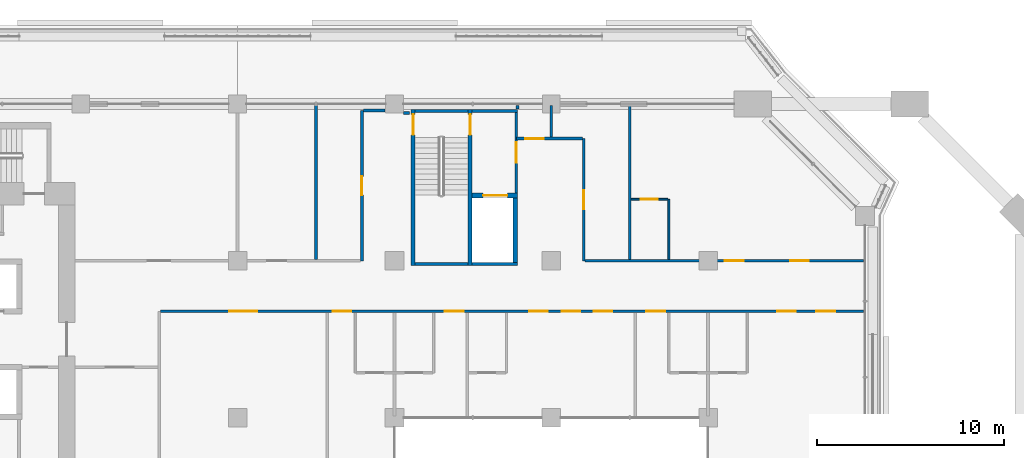
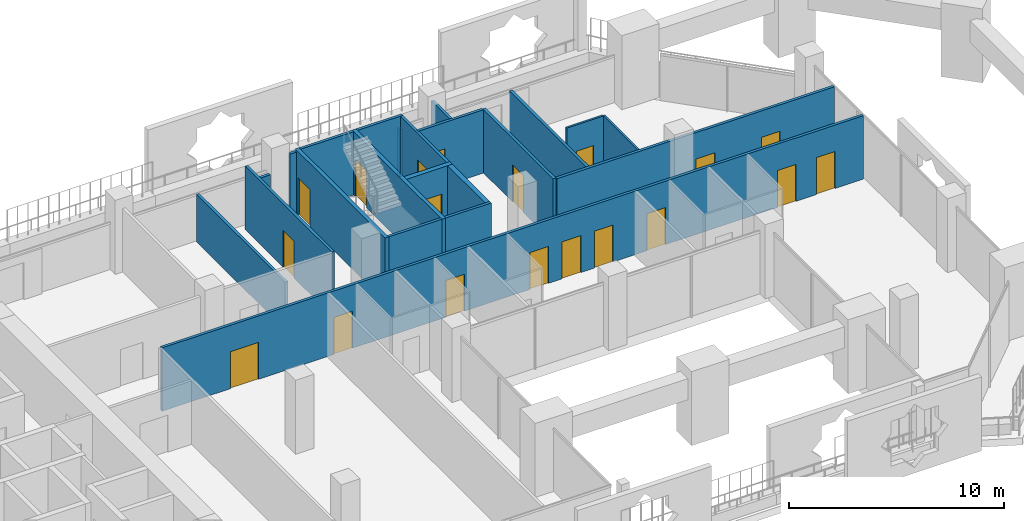
# One storey, part 14 of 23: 22 walls, 19 doors, 19 openings.
"""IFC4 building model written with IfcOpenShell, lengths in metres."""

from ifc_helpers import new_model, si_unit, direction, frame, frame_2d, origin, place, context, subcontext, project, spatial, rectangle, extrude, material, layer, layer_set, type_object, element, fill, save


model = new_model("IFC4")

# Units and contexts
model_context = context("Model", 3, precision=1e-05, world=origin(), true_north=direction((0.0, 1.0)))
body_context = subcontext(model_context, "Body", "Model", "MODEL_VIEW")
ifc_project = project(units=[si_unit("LENGTHUNIT", "METRE"), si_unit("AREAUNIT", "SQUARE_METRE"), si_unit("VOLUMEUNIT", "CUBIC_METRE"), si_unit("PLANEANGLEUNIT", "RADIAN"), si_unit("MASSUNIT", "GRAM", prefix="KILO")], contexts=[model_context])

# Site, building, storey
site_placement = place(None, origin())
site = spatial("IfcSite", under=ifc_project, at=site_placement, CompositionType="ELEMENT")
building_placement = place(site_placement, origin())
building = spatial("IfcBuilding", under=site, at=building_placement, Name="Kawkab Arch Medical Tower", CompositionType="ELEMENT")
storey_placement = place(building_placement, frame((0.0, 0.0, 166.800048828125)))
storey = spatial("IfcBuildingStorey", under=building, at=storey_placement, Name="L38", CompositionType="ELEMENT", Elevation=166.800048828125)

# Wall, opening, door
ifc_material_1 = material(Name="Gypsum board on steel studs", Category="steel")
ifc_layer_1 = layer(ifc_material_1, 0.14990234375)
ifc_layer_set_1 = layer_set([ifc_layer_1], Name="Gypsum board on steel studs")
wall_type_1 = type_object("IfcWallType", Name="Core room partition 150", PredefinedType="PARTITIONING", material=ifc_layer_set_1)
wall_1_placement = place(storey_placement, frame((48.52490234375, -4.77490234375, 0.0), z_axis=(0.0, 0.0, 1.0), x_axis=(0.0, 1.0, 0.0)))
wall_1 = element("IfcWall", 1, at=wall_1_placement, inside=storey, type_object=wall_type_1, Name="L38 core room partition", PredefinedType="PARTITIONING", context=body_context, shape_type="SweptSolid", body=[
    extrude(rectangle(XDim=4.324951171875, YDim=0.14990234375, at=frame_2d((2.16259765625, 0.0))), origin(), (0.0, 0.0, 1.0), 3.599853515625),
])
opening_1_placement = place(wall_1_placement, frame((1.625, 0.0, 0.0)))
opening_1 = element("IfcOpeningElement", 2, at=opening_1_placement, cuts=wall_1, Name="Opening FD", PredefinedType="OPENING", context=body_context, shape_type="SweptSolid", body=[
    extrude(rectangle(XDim=1.10009765625, YDim=2.10009765625, at=frame_2d((0.550048828125, 1.050048828125))), frame((0.0, 0.0849609375, 0.0), z_axis=(0.0, -1.0, 0.0), x_axis=(1.0, 0.0, 0.0)), (0.0, 0.0, 1.0), 0.169921875),
])
ifc_material_2 = material(Name="Hollow metal fire door leaf")
door_type_1 = type_object("IfcDoorType", Name="Firefighting lobby door 1100", OperationType="SINGLE_SWING_LEFT", PredefinedType="DOOR", material=ifc_material_2)
door_1_placement = place(opening_1_placement, origin())
door_1 = element("IfcDoor", 3, at=door_1_placement, inside=storey, type_object=door_type_1, Name="L38 Service lift lobby door SV1", OperationType="SINGLE_SWING_LEFT", OverallHeight=2.10009765625, OverallWidth=1.10009765625, PredefinedType="DOOR", context=body_context, shape_type="SweptSolid", body=[
    extrude(rectangle(XDim=1.10009765625, YDim=2.10009765625, at=frame_2d((0.550048828125, 1.050048828125))), frame((0.0, 0.02490234375, 0.0), z_axis=(0.0, -1.0, 0.0), x_axis=(1.0, 0.0, 0.0)), (0.0, 0.0, 1.0), 0.050048828125),
])
fill(opening_1, door_1)

ifc_material_3 = material(Name="Concrete C60/75", Category="concrete")
ifc_layer_2 = layer(ifc_material_3, 0.25)
ifc_layer_set_2 = layer_set([ifc_layer_2], Name="Concrete C60/75")
wall_type_2 = type_object("IfcWallType", Name="Core shear wall 250 C60/75", PredefinedType="SHEAR", material=ifc_layer_set_2)
wall_2_placement = place(storey_placement, frame((46.14990234375, -4.89990234375, 0.0), z_axis=(0.0, 0.0, 1.0), x_axis=(1.0, 0.0, 0.0)))
wall_2 = element("IfcWall", 4, at=wall_2_placement, inside=storey, type_object=wall_type_2, Name="L38 core shear wall", PredefinedType="SHEAR", context=body_context, shape_type="SweptSolid", body=[
    extrude(rectangle(XDim=2.4501953125, YDim=0.25, at=frame_2d((1.22509765625, 0.0))), origin(), (0.0, 0.0, 1.0), 3.599853515625),
])
opening_2_placement = place(wall_2_placement, frame((0.60009765625, 0.0, 0.0)))
opening_2 = element("IfcOpeningElement", 5, at=opening_2_placement, cuts=wall_2, Name="Opening LD2", PredefinedType="OPENING", context=body_context, shape_type="SweptSolid", body=[
    extrude(rectangle(XDim=1.300048828125, YDim=2.10009765625, at=frame_2d((0.64990234375, 1.050048828125))), frame((0.0, 0.135009765625, 0.0), z_axis=(0.0, -1.0, 0.0), x_axis=(1.0, 0.0, 0.0)), (0.0, 0.0, 1.0), 0.27001953125),
])
ifc_material_4 = material(Name="Stainless steel lift door leaf", Category="steel")
door_type_2 = type_object("IfcDoorType", Name="Lift landing door 1300", OperationType="DOUBLE_DOOR_SLIDING", PredefinedType="DOOR", material=ifc_material_4)
door_2_placement = place(opening_2_placement, origin())
door_2 = element("IfcDoor", 6, at=door_2_placement, inside=storey, type_object=door_type_2, Name="L38 Lift landing door SV1", OperationType="DOUBLE_DOOR_SLIDING", OverallHeight=2.10009765625, OverallWidth=1.300048828125, PredefinedType="DOOR", context=body_context, shape_type="SweptSolid", body=[
    extrude(rectangle(XDim=1.300048828125, YDim=2.10009765625, at=frame_2d((0.64990234375, 1.050048828125))), frame((0.0, 0.02490234375, 0.0), z_axis=(0.0, -1.0, 0.0), x_axis=(1.0, 0.0, 0.0)), (0.0, 0.0, 1.0), 0.050048828125),
])
fill(opening_2, door_2)

# Wall
wall_3_placement = place(storey_placement, frame((48.47509765625, -8.5, 0.0), z_axis=(0.0, 0.0, 1.0), x_axis=(0.0, 1.0, 0.0)))
element("IfcWall", 7, at=wall_3_placement, inside=storey, type_object=wall_type_2, Name="L38 core shear wall", PredefinedType="SHEAR", context=body_context, shape_type="SweptSolid", body=[
    extrude(rectangle(XDim=3.47509765625, YDim=0.25, at=frame_2d((1.737548828125, 0.0))), origin(), (0.0, 0.0, 1.0), 3.599853515625),
])

# Wall, opening, door
ifc_material_5 = material(Name="Gypsum board partition on steel studs", Category="steel")
ifc_layer_3 = layer(ifc_material_5, 0.10009765625)
ifc_layer_set_3 = layer_set([ifc_layer_3], Name="Gypsum board partition on steel studs")
wall_type_3 = type_object("IfcWallType", Name="Partition 100", PredefinedType="PARTITIONING", material=ifc_layer_set_3)
wall_4_placement = place(storey_placement, frame((54.675048828125, -5.10009765625, 0.0), z_axis=(0.0, 0.0, 1.0), x_axis=(1.0, 0.0, 0.0)))
wall_4 = element("IfcWall", 8, at=wall_4_placement, inside=storey, type_object=wall_type_3, Name="Partition 100 w007", PredefinedType="PARTITIONING", context=body_context, shape_type="SweptSolid", body=[
    extrude(rectangle(XDim=1.972900390625, YDim=0.10009765625, at=frame_2d((0.986328125, 0.0))), origin(), (0.0, 0.0, 1.0), 3.599853515625),
])
opening_3_placement = place(wall_4_placement, frame((0.52392578125, 0.0, 0.0)))
opening_3 = element("IfcOpeningElement", 9, at=opening_3_placement, cuts=wall_4, Name="Opening B38-005", PredefinedType="OPENING", context=body_context, shape_type="SweptSolid", body=[
    extrude(rectangle(XDim=0.89990234375, YDim=2.10009765625, at=frame_2d((0.449951171875, 1.050048828125))), frame((0.0, 0.06005859375, 0.0), z_axis=(0.0, -1.0, 0.0), x_axis=(1.0, 0.0, 0.0)), (0.0, 0.0, 1.0), 0.1201171875),
])
ifc_material_6 = material(Name="Timber door leaf", Category="wood")
door_type_3 = type_object("IfcDoorType", Name="Single door 900x2100", OperationType="NOTDEFINED", PredefinedType="DOOR", material=ifc_material_6)
door_3_placement = place(opening_3_placement, origin())
door_3 = element("IfcDoor", 10, at=door_3_placement, inside=storey, type_object=door_type_3, Name="Door B38-005", OperationType="SINGLE_SWING_RIGHT", OverallHeight=2.10009765625, OverallWidth=0.89990234375, PredefinedType="DOOR", context=body_context, shape_type="SweptSolid", body=[
    extrude(rectangle(XDim=0.89990234375, YDim=2.10009765625, at=frame_2d((0.449951171875, 1.050048828125))), frame((0.0, 0.02490234375, 0.0), z_axis=(0.0, -1.0, 0.0), x_axis=(1.0, 0.0, 0.0)), (0.0, 0.0, 1.0), 0.050048828125),
])
fill(opening_3, door_3)

# Wall
wall_5_placement = place(storey_placement, frame((56.699951171875, -8.324951171875, 0.0), z_axis=(0.0, 0.0, 1.0), x_axis=(0.0, 1.0, 0.0)))
element("IfcWall", 11, at=wall_5_placement, inside=storey, type_object=wall_type_3, Name="Partition 100 w014", PredefinedType="PARTITIONING", context=body_context, shape_type="SweptSolid", body=[
    extrude(rectangle(XDim=3.223876953125, YDim=0.10009765625, at=frame_2d((1.61181640625, 0.0))), origin(), (0.0, 0.0, 1.0), 3.599853515625),
])

# Wall, openings, doors
ifc_material_7 = material(Name="Gypsum board partition on steel studs, mineral wool", Category="steel")
ifc_layer_4 = layer(ifc_material_7, 0.14990234375)
ifc_layer_set_4 = layer_set([ifc_layer_4], Name="Gypsum board partition on steel studs, mineral wool")
wall_type_4 = type_object("IfcWallType", Name="Partition 150", PredefinedType="PARTITIONING", material=ifc_layer_set_4)
wall_6_placement = place(storey_placement, frame((29.47509765625, -11.10009765625, 0.0), z_axis=(0.0, 0.0, 1.0), x_axis=(1.0, 0.0, 0.0)))
wall_6 = element("IfcWall", 12, at=wall_6_placement, inside=storey, type_object=wall_type_4, Name="Partition 150 w028", PredefinedType="PARTITIONING", context=body_context, shape_type="SweptSolid", body=[
    extrude(rectangle(XDim=37.64501953125, YDim=0.14990234375, at=frame_2d((18.822509765625, 0.0))), origin(), (0.0, 0.0, 1.0), 3.599853515625),
])
opening_4_placement = place(wall_6_placement, frame((3.675048828125, 0.0, 0.0)))
opening_4 = element("IfcOpeningElement", 13, at=opening_4_placement, cuts=wall_6, Name="Opening B38-002", PredefinedType="OPENING", context=body_context, shape_type="SweptSolid", body=[
    extrude(rectangle(XDim=1.5, YDim=2.10009765625, at=frame_2d((0.75, 1.050048828125))), frame((0.0, 0.0849609375, 0.0), z_axis=(0.0, -1.0, 0.0), x_axis=(1.0, 0.0, 0.0)), (0.0, 0.0, 1.0), 0.169921875),
])
opening_5_placement = place(wall_6_placement, frame((9.22509765625, 0.0, 0.0)))
opening_5 = element("IfcOpeningElement", 14, at=opening_5_placement, cuts=wall_6, Name="Opening B38-022", PredefinedType="OPENING", context=body_context, shape_type="SweptSolid", body=[
    extrude(rectangle(XDim=1.0, YDim=2.10009765625, at=frame_2d((0.5, 1.050048828125))), frame((0.0, 0.0849609375, 0.0), z_axis=(0.0, -1.0, 0.0), x_axis=(1.0, 0.0, 0.0)), (0.0, 0.0, 1.0), 0.169921875),
])
opening_6_placement = place(wall_6_placement, frame((15.22509765625, 0.0, 0.0)))
opening_6 = element("IfcOpeningElement", 15, at=opening_6_placement, cuts=wall_6, Name="Opening B38-023", PredefinedType="OPENING", context=body_context, shape_type="SweptSolid", body=[
    extrude(rectangle(XDim=1.0, YDim=2.10009765625, at=frame_2d((0.5, 1.050048828125))), frame((0.0, 0.0849609375, 0.0), z_axis=(0.0, -1.0, 0.0), x_axis=(1.0, 0.0, 0.0)), (0.0, 0.0, 1.0), 0.169921875),
])
opening_7_placement = place(wall_6_placement, frame((23.199951171875, 0.0, 0.0)))
opening_7 = element("IfcOpeningElement", 16, at=opening_7_placement, cuts=wall_6, Name="Opening B38-024", PredefinedType="OPENING", context=body_context, shape_type="SweptSolid", body=[
    extrude(rectangle(XDim=1.0, YDim=2.10009765625, at=frame_2d((0.5, 1.050048828125))), frame((0.0, 0.0849609375, 0.0), z_axis=(0.0, -1.0, 0.0), x_axis=(1.0, 0.0, 0.0)), (0.0, 0.0, 1.0), 0.169921875),
])
opening_8_placement = place(wall_6_placement, frame((21.47509765625, 0.0, 0.0)))
opening_8 = element("IfcOpeningElement", 17, at=opening_8_placement, cuts=wall_6, Name="Opening B38-025", PredefinedType="OPENING", context=body_context, shape_type="SweptSolid", body=[
    extrude(rectangle(XDim=1.0, YDim=2.10009765625, at=frame_2d((0.5, 1.050048828125))), frame((0.0, 0.0849609375, 0.0), z_axis=(0.0, -1.0, 0.0), x_axis=(1.0, 0.0, 0.0)), (0.0, 0.0, 1.0), 0.169921875),
])
opening_9_placement = place(wall_6_placement, frame((19.75, 0.0, 0.0)))
opening_9 = element("IfcOpeningElement", 18, at=opening_9_placement, cuts=wall_6, Name="Opening B38-026", PredefinedType="OPENING", context=body_context, shape_type="SweptSolid", body=[
    extrude(rectangle(XDim=1.0, YDim=2.10009765625, at=frame_2d((0.5, 1.050048828125))), frame((0.0, 0.0849609375, 0.0), z_axis=(0.0, -1.0, 0.0), x_axis=(1.0, 0.0, 0.0)), (0.0, 0.0, 1.0), 0.169921875),
])
opening_10_placement = place(wall_6_placement, frame((26.02490234375, 0.0, 0.0)))
opening_10 = element("IfcOpeningElement", 19, at=opening_10_placement, cuts=wall_6, Name="Opening B38-027", PredefinedType="OPENING", context=body_context, shape_type="SweptSolid", body=[
    extrude(rectangle(XDim=1.0, YDim=2.10009765625, at=frame_2d((0.5, 1.050048828125))), frame((0.0, 0.0849609375, 0.0), z_axis=(0.0, -1.0, 0.0), x_axis=(1.0, 0.0, 0.0)), (0.0, 0.0, 1.0), 0.169921875),
])
opening_11_placement = place(wall_6_placement, frame((35.125, 0.0, 0.0)))
opening_11 = element("IfcOpeningElement", 20, at=opening_11_placement, cuts=wall_6, Name="Opening B38-028", PredefinedType="OPENING", context=body_context, shape_type="SweptSolid", body=[
    extrude(rectangle(XDim=1.0, YDim=2.10009765625, at=frame_2d((0.5, 1.050048828125))), frame((0.0, 0.0849609375, 0.0), z_axis=(0.0, -1.0, 0.0), x_axis=(1.0, 0.0, 0.0)), (0.0, 0.0, 1.0), 0.169921875),
])
opening_12_placement = place(wall_6_placement, frame((33.02490234375, 0.0, 0.0)))
opening_12 = element("IfcOpeningElement", 21, at=opening_12_placement, cuts=wall_6, Name="Opening B38-029", PredefinedType="OPENING", context=body_context, shape_type="SweptSolid", body=[
    extrude(rectangle(XDim=1.0, YDim=2.10009765625, at=frame_2d((0.5, 1.050048828125))), frame((0.0, 0.0849609375, 0.0), z_axis=(0.0, -1.0, 0.0), x_axis=(1.0, 0.0, 0.0)), (0.0, 0.0, 1.0), 0.169921875),
])
ifc_material_8 = material(Name="Hollow metal door leaf")
door_type_4 = type_object("IfcDoorType", Name="Double door 1500x2100 FD30S", OperationType="NOTDEFINED", PredefinedType="DOOR", material=ifc_material_8)
door_4_placement = place(opening_4_placement, origin())
door_4 = element("IfcDoor", 22, at=door_4_placement, inside=storey, type_object=door_type_4, Name="Door B38-002", OperationType="DOUBLE_DOOR_SINGLE_SWING", OverallHeight=2.10009765625, OverallWidth=1.5, PredefinedType="DOOR", context=body_context, shape_type="SweptSolid", body=[
    extrude(rectangle(XDim=1.5, YDim=2.10009765625, at=frame_2d((0.75, 1.050048828125))), frame((0.0, 0.02490234375, 0.0), z_axis=(0.0, -1.0, 0.0), x_axis=(1.0, 0.0, 0.0)), (0.0, 0.0, 1.0), 0.050048828125),
])
fill(opening_4, door_4)
ifc_material_9 = material(Name="Hollow metal door leaf")
door_type_5 = type_object("IfcDoorType", Name="Single door 1000x2100 FD30S", OperationType="NOTDEFINED", PredefinedType="DOOR", material=ifc_material_9)
door_5_placement = place(opening_5_placement, origin())
door_5 = element("IfcDoor", 23, at=door_5_placement, inside=storey, type_object=door_type_5, Name="Door B38-022", OperationType="SINGLE_SWING_RIGHT", OverallHeight=2.10009765625, OverallWidth=1.0, PredefinedType="DOOR", context=body_context, shape_type="SweptSolid", body=[
    extrude(rectangle(XDim=1.0, YDim=2.10009765625, at=frame_2d((0.5, 1.050048828125))), frame((0.0, 0.02490234375, 0.0), z_axis=(0.0, -1.0, 0.0), x_axis=(1.0, 0.0, 0.0)), (0.0, 0.0, 1.0), 0.050048828125),
])
fill(opening_5, door_5)
door_6_placement = place(opening_6_placement, origin())
door_6 = element("IfcDoor", 24, at=door_6_placement, inside=storey, type_object=door_type_5, Name="Door B38-023", OperationType="SINGLE_SWING_RIGHT", OverallHeight=2.10009765625, OverallWidth=1.0, PredefinedType="DOOR", context=body_context, shape_type="SweptSolid", body=[
    extrude(rectangle(XDim=1.0, YDim=2.10009765625, at=frame_2d((0.5, 1.050048828125))), frame((0.0, 0.02490234375, 0.0), z_axis=(0.0, -1.0, 0.0), x_axis=(1.0, 0.0, 0.0)), (0.0, 0.0, 1.0), 0.050048828125),
])
fill(opening_6, door_6)
door_7_placement = place(opening_7_placement, origin())
door_7 = element("IfcDoor", 25, at=door_7_placement, inside=storey, type_object=door_type_5, Name="Door B38-024", OperationType="SINGLE_SWING_LEFT", OverallHeight=2.10009765625, OverallWidth=1.0, PredefinedType="DOOR", context=body_context, shape_type="SweptSolid", body=[
    extrude(rectangle(XDim=1.0, YDim=2.10009765625, at=frame_2d((0.5, 1.050048828125))), frame((0.0, 0.02490234375, 0.0), z_axis=(0.0, -1.0, 0.0), x_axis=(1.0, 0.0, 0.0)), (0.0, 0.0, 1.0), 0.050048828125),
])
fill(opening_7, door_7)
door_8_placement = place(opening_8_placement, origin())
door_8 = element("IfcDoor", 26, at=door_8_placement, inside=storey, type_object=door_type_5, Name="Door B38-025", OperationType="SINGLE_SWING_LEFT", OverallHeight=2.10009765625, OverallWidth=1.0, PredefinedType="DOOR", context=body_context, shape_type="SweptSolid", body=[
    extrude(rectangle(XDim=1.0, YDim=2.10009765625, at=frame_2d((0.5, 1.050048828125))), frame((0.0, 0.02490234375, 0.0), z_axis=(0.0, -1.0, 0.0), x_axis=(1.0, 0.0, 0.0)), (0.0, 0.0, 1.0), 0.050048828125),
])
fill(opening_8, door_8)
door_9_placement = place(opening_9_placement, origin())
door_9 = element("IfcDoor", 27, at=door_9_placement, inside=storey, type_object=door_type_5, Name="Door B38-026", OperationType="SINGLE_SWING_LEFT", OverallHeight=2.10009765625, OverallWidth=1.0, PredefinedType="DOOR", context=body_context, shape_type="SweptSolid", body=[
    extrude(rectangle(XDim=1.0, YDim=2.10009765625, at=frame_2d((0.5, 1.050048828125))), frame((0.0, 0.02490234375, 0.0), z_axis=(0.0, -1.0, 0.0), x_axis=(1.0, 0.0, 0.0)), (0.0, 0.0, 1.0), 0.050048828125),
])
fill(opening_9, door_9)
door_10_placement = place(opening_10_placement, origin())
door_10 = element("IfcDoor", 28, at=door_10_placement, inside=storey, type_object=door_type_5, Name="Door B38-027", OperationType="SINGLE_SWING_LEFT", OverallHeight=2.10009765625, OverallWidth=1.0, PredefinedType="DOOR", context=body_context, shape_type="SweptSolid", body=[
    extrude(rectangle(XDim=1.0, YDim=2.10009765625, at=frame_2d((0.5, 1.050048828125))), frame((0.0, 0.02490234375, 0.0), z_axis=(0.0, -1.0, 0.0), x_axis=(1.0, 0.0, 0.0)), (0.0, 0.0, 1.0), 0.050048828125),
])
fill(opening_10, door_10)
door_11_placement = place(opening_11_placement, origin())
door_11 = element("IfcDoor", 29, at=door_11_placement, inside=storey, type_object=door_type_5, Name="Door B38-028", OperationType="SINGLE_SWING_LEFT", OverallHeight=2.10009765625, OverallWidth=1.0, PredefinedType="DOOR", context=body_context, shape_type="SweptSolid", body=[
    extrude(rectangle(XDim=1.0, YDim=2.10009765625, at=frame_2d((0.5, 1.050048828125))), frame((0.0, 0.02490234375, 0.0), z_axis=(0.0, -1.0, 0.0), x_axis=(1.0, 0.0, 0.0)), (0.0, 0.0, 1.0), 0.050048828125),
])
fill(opening_11, door_11)
door_12_placement = place(opening_12_placement, origin())
door_12 = element("IfcDoor", 30, at=door_12_placement, inside=storey, type_object=door_type_5, Name="Door B38-029", OperationType="SINGLE_SWING_LEFT", OverallHeight=2.10009765625, OverallWidth=1.0, PredefinedType="DOOR", context=body_context, shape_type="SweptSolid", body=[
    extrude(rectangle(XDim=1.0, YDim=2.10009765625, at=frame_2d((0.5, 1.050048828125))), frame((0.0, 0.02490234375, 0.0), z_axis=(0.0, -1.0, 0.0), x_axis=(1.0, 0.0, 0.0)), (0.0, 0.0, 1.0), 0.050048828125),
])
fill(opening_12, door_12)

wall_7_placement = place(storey_placement, frame((52.218017578125, -8.39990234375, 0.0), z_axis=(0.0, 0.0, 1.0), x_axis=(1.0, 0.0, 0.0)))
wall_7 = element("IfcWall", 31, at=wall_7_placement, inside=storey, type_object=wall_type_4, Name="Partition 150 w031", PredefinedType="PARTITIONING", context=body_context, shape_type="SweptSolid", body=[
    extrude(rectangle(XDim=14.902099609375, YDim=0.14990234375, at=frame_2d((7.451171875, 0.0))), origin(), (0.0, 0.0, 1.0), 3.599853515625),
])
opening_13_placement = place(wall_7_placement, frame((7.48193359375, 0.0, 0.0)))
opening_13 = element("IfcOpeningElement", 32, at=opening_13_placement, cuts=wall_7, Name="Opening B38-020", PredefinedType="OPENING", context=body_context, shape_type="SweptSolid", body=[
    extrude(rectangle(XDim=1.0, YDim=2.10009765625, at=frame_2d((0.5, 1.050048828125))), frame((0.0, 0.0849609375, 0.0), z_axis=(0.0, -1.0, 0.0), x_axis=(1.0, 0.0, 0.0)), (0.0, 0.0, 1.0), 0.169921875),
])
opening_14_placement = place(wall_7_placement, frame((10.98193359375, 0.0, 0.0)))
opening_14 = element("IfcOpeningElement", 33, at=opening_14_placement, cuts=wall_7, Name="Opening B38-021", PredefinedType="OPENING", context=body_context, shape_type="SweptSolid", body=[
    extrude(rectangle(XDim=1.0, YDim=2.10009765625, at=frame_2d((0.5, 1.050048828125))), frame((0.0, 0.0849609375, 0.0), z_axis=(0.0, -1.0, 0.0), x_axis=(1.0, 0.0, 0.0)), (0.0, 0.0, 1.0), 0.169921875),
])
door_13_placement = place(opening_13_placement, origin())
door_13 = element("IfcDoor", 34, at=door_13_placement, inside=storey, type_object=door_type_5, Name="Door B38-020", OperationType="SINGLE_SWING_RIGHT", OverallHeight=2.10009765625, OverallWidth=1.0, PredefinedType="DOOR", context=body_context, shape_type="SweptSolid", body=[
    extrude(rectangle(XDim=1.0, YDim=2.10009765625, at=frame_2d((0.5, 1.050048828125))), frame((0.0, 0.02490234375, 0.0), z_axis=(0.0, -1.0, 0.0), x_axis=(1.0, 0.0, 0.0)), (0.0, 0.0, 1.0), 0.050048828125),
])
fill(opening_13, door_13)
door_14_placement = place(opening_14_placement, origin())
door_14 = element("IfcDoor", 35, at=door_14_placement, inside=storey, type_object=door_type_5, Name="Door B38-021", OperationType="SINGLE_SWING_RIGHT", OverallHeight=2.10009765625, OverallWidth=1.0, PredefinedType="DOOR", context=body_context, shape_type="SweptSolid", body=[
    extrude(rectangle(XDim=1.0, YDim=2.10009765625, at=frame_2d((0.5, 1.050048828125))), frame((0.0, 0.02490234375, 0.0), z_axis=(0.0, -1.0, 0.0), x_axis=(1.0, 0.0, 0.0)), (0.0, 0.0, 1.0), 0.050048828125),
])
fill(opening_14, door_14)

# Wall, opening, door
wall_8_placement = place(storey_placement, frame((48.550048828125, -1.85009765625, 0.0), z_axis=(0.0, 0.0, 1.0), x_axis=(1.0, 0.0, 0.0)))
wall_8 = element("IfcWall", 36, at=wall_8_placement, inside=storey, type_object=wall_type_4, Name="Partition 150 w032", PredefinedType="PARTITIONING", context=body_context, shape_type="SweptSolid", body=[
    extrude(rectangle(XDim=3.515869140625, YDim=0.14990234375, at=frame_2d((1.7578125, 0.0))), origin(), (0.0, 0.0, 1.0), 3.599853515625),
])
opening_15_placement = place(wall_8_placement, frame((0.449951171875, 0.0, 0.0)))
opening_15 = element("IfcOpeningElement", 37, at=opening_15_placement, cuts=wall_8, Name="Opening B38-018", PredefinedType="OPENING", context=body_context, shape_type="SweptSolid", body=[
    extrude(rectangle(XDim=1.0, YDim=2.10009765625, at=frame_2d((0.5, 1.050048828125))), frame((0.0, 0.0849609375, 0.0), z_axis=(0.0, -1.0, 0.0), x_axis=(1.0, 0.0, 0.0)), (0.0, 0.0, 1.0), 0.169921875),
])
door_15_placement = place(opening_15_placement, origin())
door_15 = element("IfcDoor", 38, at=door_15_placement, inside=storey, type_object=door_type_5, Name="Door B38-018", OperationType="SINGLE_SWING_LEFT", OverallHeight=2.10009765625, OverallWidth=1.0, PredefinedType="DOOR", context=body_context, shape_type="SweptSolid", body=[
    extrude(rectangle(XDim=1.0, YDim=2.10009765625, at=frame_2d((0.5, 1.050048828125))), frame((0.0, 0.02490234375, 0.0), z_axis=(0.0, -1.0, 0.0), x_axis=(1.0, 0.0, 0.0)), (0.0, 0.0, 1.0), 0.050048828125),
])
fill(opening_15, door_15)

# Walls
wall_9_placement = place(storey_placement, frame((42.47705078125, -0.47509765625, 0.0), z_axis=(0.0, 0.0, 1.0), x_axis=(1.0, 0.0, 0.0)))
element("IfcWall", 39, at=wall_9_placement, inside=storey, type_object=wall_type_4, Name="Partition 150 w033", PredefinedType="PARTITIONING", context=body_context, shape_type="SweptSolid", body=[
    extrude(rectangle(XDim=0.343017578125, YDim=0.14990234375, at=frame_2d((0.17138671875, 0.0))), origin(), (0.0, 0.0, 1.0), 3.599853515625),
])
wall_10_placement = place(storey_placement, frame((40.3330078125, -0.35009765625, 0.0), z_axis=(0.0, 0.0, 1.0), x_axis=(1.0, 0.0, 0.0)))
element("IfcWall", 40, at=wall_10_placement, inside=storey, type_object=wall_type_4, Name="Partition 150 w034", PredefinedType="PARTITIONING", context=body_context, shape_type="SweptSolid", body=[
    extrude(rectangle(XDim=1.155029296875, YDim=0.14990234375, at=frame_2d((0.57763671875, 0.0))), origin(), (0.0, 0.0, 1.0), 2.699951171875),
])
wall_11_placement = place(storey_placement, frame((37.800048828125, -8.324951171875, 0.0), z_axis=(0.0, 0.0, 1.0), x_axis=(0.0, 1.0, 0.0)))
element("IfcWall", 41, at=wall_11_placement, inside=storey, type_object=wall_type_4, Name="Partition 150 w043", PredefinedType="PARTITIONING", context=body_context, shape_type="SweptSolid", body=[
    extrude(rectangle(XDim=8.244873046875, YDim=0.14990234375, at=frame_2d((4.12255859375, 0.0))), origin(), (0.0, 0.0, 1.0), 2.699951171875),
])

# Wall, opening, door
wall_12_placement = place(storey_placement, frame((40.257080078125, -8.39990234375, 0.0), z_axis=(0.0, 0.0, 1.0), x_axis=(0.0, 1.0, 0.0)))
wall_12 = element("IfcWall", 42, at=wall_12_placement, inside=storey, type_object=wall_type_4, Name="Partition 150 w045", PredefinedType="PARTITIONING", context=body_context, shape_type="SweptSolid", body=[
    extrude(rectangle(XDim=8.0478515625, YDim=0.14990234375, at=frame_2d((4.02392578125, 0.0))), origin(), (0.0, 0.0, 1.0), 3.599853515625),
])
opening_16_placement = place(wall_12_placement, frame((3.52392578125, 0.0, 0.0)))
opening_16 = element("IfcOpeningElement", 43, at=opening_16_placement, cuts=wall_12, Name="Opening B38-017", PredefinedType="OPENING", context=body_context, shape_type="SweptSolid", body=[
    extrude(rectangle(XDim=1.0, YDim=2.10009765625, at=frame_2d((0.5, 1.050048828125))), frame((0.0, 0.0849609375, 0.0), z_axis=(0.0, -1.0, 0.0), x_axis=(1.0, 0.0, 0.0)), (0.0, 0.0, 1.0), 0.169921875),
])
door_16_placement = place(opening_16_placement, origin())
door_16 = element("IfcDoor", 44, at=door_16_placement, inside=storey, type_object=door_type_5, Name="Door B38-017", OperationType="SINGLE_SWING_LEFT", OverallHeight=2.10009765625, OverallWidth=1.0, PredefinedType="DOOR", context=body_context, shape_type="SweptSolid", body=[
    extrude(rectangle(XDim=1.0, YDim=2.10009765625, at=frame_2d((0.5, 1.050048828125))), frame((0.0, 0.02490234375, 0.0), z_axis=(0.0, -1.0, 0.0), x_axis=(1.0, 0.0, 0.0)), (0.0, 0.0, 1.0), 0.050048828125),
])
fill(opening_16, door_16)

# Walls
wall_13_placement = place(storey_placement, frame((48.60009765625, -0.27001953125, 0.0), z_axis=(0.0, 0.0, 1.0), x_axis=(0.0, 1.0, 0.0)))
element("IfcWall", 45, at=wall_13_placement, inside=storey, type_object=wall_type_4, Name="Partition 150 w048", PredefinedType="PARTITIONING", context=body_context, shape_type="SweptSolid", body=[
    extrude(rectangle(XDim=0.18994140625, YDim=0.14990234375, at=frame_2d((0.094970703125, 0.0))), origin(), (0.0, 0.0, 1.0), 2.699951171875),
])
wall_14_placement = place(storey_placement, frame((50.39990234375, -1.77490234375, 0.0), z_axis=(0.0, 0.0, 1.0), x_axis=(0.0, 1.0, 0.0)))
element("IfcWall", 46, at=wall_14_placement, inside=storey, type_object=wall_type_4, Name="Partition 150 w049", PredefinedType="PARTITIONING", context=body_context, shape_type="SweptSolid", body=[
    extrude(rectangle(XDim=1.69482421875, YDim=0.14990234375, at=frame_2d((0.847412109375, 0.0))), origin(), (0.0, 0.0, 1.0), 3.599853515625),
])

# Wall, opening, door
wall_15_placement = place(storey_placement, frame((52.14306640625, -8.39990234375, 0.0), z_axis=(0.0, 0.0, 1.0), x_axis=(0.0, 1.0, 0.0)))
wall_15 = element("IfcWall", 47, at=wall_15_placement, inside=storey, type_object=wall_type_4, Name="Partition 150 w050", PredefinedType="PARTITIONING", context=body_context, shape_type="SweptSolid", body=[
    extrude(rectangle(XDim=6.548828125, YDim=0.14990234375, at=frame_2d((3.2744140625, 0.0))), origin(), (0.0, 0.0, 1.0), 3.599853515625),
])
opening_17_placement = place(wall_15_placement, frame((2.77392578125, 0.0, 0.0)))
opening_17 = element("IfcOpeningElement", 48, at=opening_17_placement, cuts=wall_15, Name="Opening B38-019", PredefinedType="OPENING", context=body_context, shape_type="SweptSolid", body=[
    extrude(rectangle(XDim=1.0, YDim=2.10009765625, at=frame_2d((0.5, 1.050048828125))), frame((0.0, 0.0849609375, 0.0), z_axis=(0.0, -1.0, 0.0), x_axis=(1.0, 0.0, 0.0)), (0.0, 0.0, 1.0), 0.169921875),
])
door_17_placement = place(opening_17_placement, origin())
door_17 = element("IfcDoor", 49, at=door_17_placement, inside=storey, type_object=door_type_5, Name="Door B38-019", OperationType="SINGLE_SWING_RIGHT", OverallHeight=2.10009765625, OverallWidth=1.0, PredefinedType="DOOR", context=body_context, shape_type="SweptSolid", body=[
    extrude(rectangle(XDim=1.0, YDim=2.10009765625, at=frame_2d((0.5, 1.050048828125))), frame((0.0, 0.02490234375, 0.0), z_axis=(0.0, -1.0, 0.0), x_axis=(1.0, 0.0, 0.0)), (0.0, 0.0, 1.0), 0.050048828125),
])
fill(opening_17, door_17)

# Walls
wall_16_placement = place(storey_placement, frame((54.60009765625, -8.324951171875, 0.0), z_axis=(0.0, 0.0, 1.0), x_axis=(0.0, 1.0, 0.0)))
element("IfcWall", 50, at=wall_16_placement, inside=storey, type_object=wall_type_4, Name="Partition 150 w051", PredefinedType="PARTITIONING", context=body_context, shape_type="SweptSolid", body=[
    extrude(rectangle(XDim=8.244873046875, YDim=0.14990234375, at=frame_2d((4.12255859375, 0.0))), origin(), (0.0, 0.0, 1.0), 2.699951171875),
])
ifc_material_10 = material(Name="Concrete C50/60", Category="concrete")
ifc_layer_5 = layer(ifc_material_10, 0.14990234375)
ifc_layer_set_5 = layer_set([ifc_layer_5], Name="Concrete C50/60")
wall_type_5 = type_object("IfcWallType", Name="Stair enclosure wall 150 C50/60", PredefinedType="SHEAR", material=ifc_layer_set_5)
wall_17_placement = place(storey_placement, frame((43.10009765625, -0.375, 0.0), z_axis=(0.0, 0.0, 1.0), x_axis=(1.0, 0.0, 0.0)))
element("IfcWall", 51, at=wall_17_placement, inside=storey, type_object=wall_type_5, Name="L38 stair enclosure wall", PredefinedType="SHEAR", context=body_context, shape_type="SweptSolid", body=[
    extrude(rectangle(XDim=2.849853515625, YDim=0.14990234375, at=frame_2d((1.4248046875, 0.0))), origin(), (0.0, 0.0, 1.0), 3.599853515625),
])
wall_18_placement = place(storey_placement, frame((46.14990234375, -0.375, 0.0), z_axis=(0.0, 0.0, 1.0), x_axis=(1.0, 0.0, 0.0)))
element("IfcWall", 52, at=wall_18_placement, inside=storey, type_object=wall_type_5, Name="L38 stair enclosure wall", PredefinedType="SHEAR", context=body_context, shape_type="SweptSolid", body=[
    extrude(rectangle(XDim=2.4501953125, YDim=0.14990234375, at=frame_2d((1.22509765625, 0.0))), origin(), (0.0, 0.0, 1.0), 3.599853515625),
])
wall_19_placement = place(storey_placement, frame((43.10009765625, -8.574951171875, 0.0), z_axis=(0.0, 0.0, 1.0), x_axis=(1.0, 0.0, 0.0)))
element("IfcWall", 53, at=wall_19_placement, inside=storey, type_object=wall_type_5, Name="L38 stair enclosure wall", PredefinedType="SHEAR", context=body_context, shape_type="SweptSolid", body=[
    extrude(rectangle(XDim=2.849853515625, YDim=0.14990234375, at=frame_2d((1.4248046875, 0.0))), origin(), (0.0, 0.0, 1.0), 3.599853515625),
])
wall_20_placement = place(storey_placement, frame((46.14990234375, -8.574951171875, 0.0), z_axis=(0.0, 0.0, 1.0), x_axis=(1.0, 0.0, 0.0)))
element("IfcWall", 54, at=wall_20_placement, inside=storey, type_object=wall_type_5, Name="L38 stair enclosure wall", PredefinedType="SHEAR", context=body_context, shape_type="SweptSolid", body=[
    extrude(rectangle(XDim=2.4501953125, YDim=0.14990234375, at=frame_2d((1.22509765625, 0.0))), origin(), (0.0, 0.0, 1.0), 3.599853515625),
])

# Wall, opening, door
ifc_material_11 = material(Name="Concrete C50/60", Category="concrete")
ifc_layer_6 = layer(ifc_material_11, 0.199951171875)
ifc_layer_set_6 = layer_set([ifc_layer_6], Name="Concrete C50/60")
wall_type_6 = type_object("IfcWallType", Name="Stair enclosure wall 200 C50/60", PredefinedType="SHEAR", material=ifc_layer_set_6)
wall_21_placement = place(storey_placement, frame((43.0, -8.64990234375, 0.0), z_axis=(0.0, 0.0, 1.0), x_axis=(0.0, 1.0, 0.0)))
wall_21 = element("IfcWall", 55, at=wall_21_placement, inside=storey, type_object=wall_type_6, Name="L38 stair enclosure wall", PredefinedType="SHEAR", context=body_context, shape_type="SweptSolid", body=[
    extrude(rectangle(XDim=8.349853515625, YDim=0.199951171875, at=frame_2d((4.1748046875, 0.0))), origin(), (0.0, 0.0, 1.0), 3.599853515625),
])
opening_18_placement = place(wall_21_placement, frame((7.0, 0.0, 0.0)))
opening_18 = element("IfcOpeningElement", 56, at=opening_18_placement, cuts=wall_21, Name="Opening SD", PredefinedType="OPENING", context=body_context, shape_type="SweptSolid", body=[
    extrude(rectangle(XDim=1.10009765625, YDim=2.10009765625, at=frame_2d((0.550048828125, 1.050048828125))), frame((0.0, 0.10986328125, 0.0), z_axis=(0.0, -1.0, 0.0), x_axis=(1.0, 0.0, 0.0)), (0.0, 0.0, 1.0), 0.219970703125),
])
ifc_material_12 = material(Name="Hollow metal fire door leaf")
door_type_6 = type_object("IfcDoorType", Name="Exit stair door 1100", OperationType="SINGLE_SWING_LEFT", PredefinedType="DOOR", material=ifc_material_12)
door_18_placement = place(opening_18_placement, frame((1.10009765625, 0.0, 0.0), z_axis=(0.0, 0.0, 1.0), x_axis=(-1.0, 0.0, 0.0)))
door_18 = element("IfcDoor", 57, at=door_18_placement, inside=storey, type_object=door_type_6, Name="L38 Exit stair ST5 door", OperationType="SINGLE_SWING_LEFT", OverallHeight=2.10009765625, OverallWidth=1.10009765625, PredefinedType="DOOR", context=body_context, shape_type="SweptSolid", body=[
    extrude(rectangle(XDim=1.10009765625, YDim=2.10009765625, at=frame_2d((0.550048828125, 1.050048828125))), frame((0.0, 0.02490234375, 0.0), z_axis=(0.0, -1.0, 0.0), x_axis=(1.0, 0.0, 0.0)), (0.0, 0.0, 1.0), 0.050048828125),
])
fill(opening_18, door_18)

wall_22_placement = place(storey_placement, frame((46.050048828125, -8.64990234375, 0.0), z_axis=(0.0, 0.0, 1.0), x_axis=(0.0, 1.0, 0.0)))
wall_22 = element("IfcWall", 58, at=wall_22_placement, inside=storey, type_object=wall_type_6, Name="L38 stair enclosure wall", PredefinedType="SHEAR", context=body_context, shape_type="SweptSolid", body=[
    extrude(rectangle(XDim=8.349853515625, YDim=0.199951171875, at=frame_2d((4.1748046875, 0.0))), origin(), (0.0, 0.0, 1.0), 3.599853515625),
])
opening_19_placement = place(wall_22_placement, frame((7.0, 0.0, 0.0)))
opening_19 = element("IfcOpeningElement", 59, at=opening_19_placement, cuts=wall_22, Name="Opening SD", PredefinedType="OPENING", context=body_context, shape_type="SweptSolid", body=[
    extrude(rectangle(XDim=1.10009765625, YDim=2.10009765625, at=frame_2d((0.550048828125, 1.050048828125))), frame((0.0, 0.10986328125, 0.0), z_axis=(0.0, -1.0, 0.0), x_axis=(1.0, 0.0, 0.0)), (0.0, 0.0, 1.0), 0.219970703125),
])
door_19_placement = place(opening_19_placement, origin())
door_19 = element("IfcDoor", 60, at=door_19_placement, inside=storey, type_object=door_type_6, Name="L38 Exit stair ST5 lobby door", OperationType="SINGLE_SWING_LEFT", OverallHeight=2.10009765625, OverallWidth=1.10009765625, PredefinedType="DOOR", context=body_context, shape_type="SweptSolid", body=[
    extrude(rectangle(XDim=1.10009765625, YDim=2.10009765625, at=frame_2d((0.550048828125, 1.050048828125))), frame((0.0, 0.02490234375, 0.0), z_axis=(0.0, -1.0, 0.0), x_axis=(1.0, 0.0, 0.0)), (0.0, 0.0, 1.0), 0.050048828125),
])
fill(opening_19, door_19)

save(model, "model.ifc")
